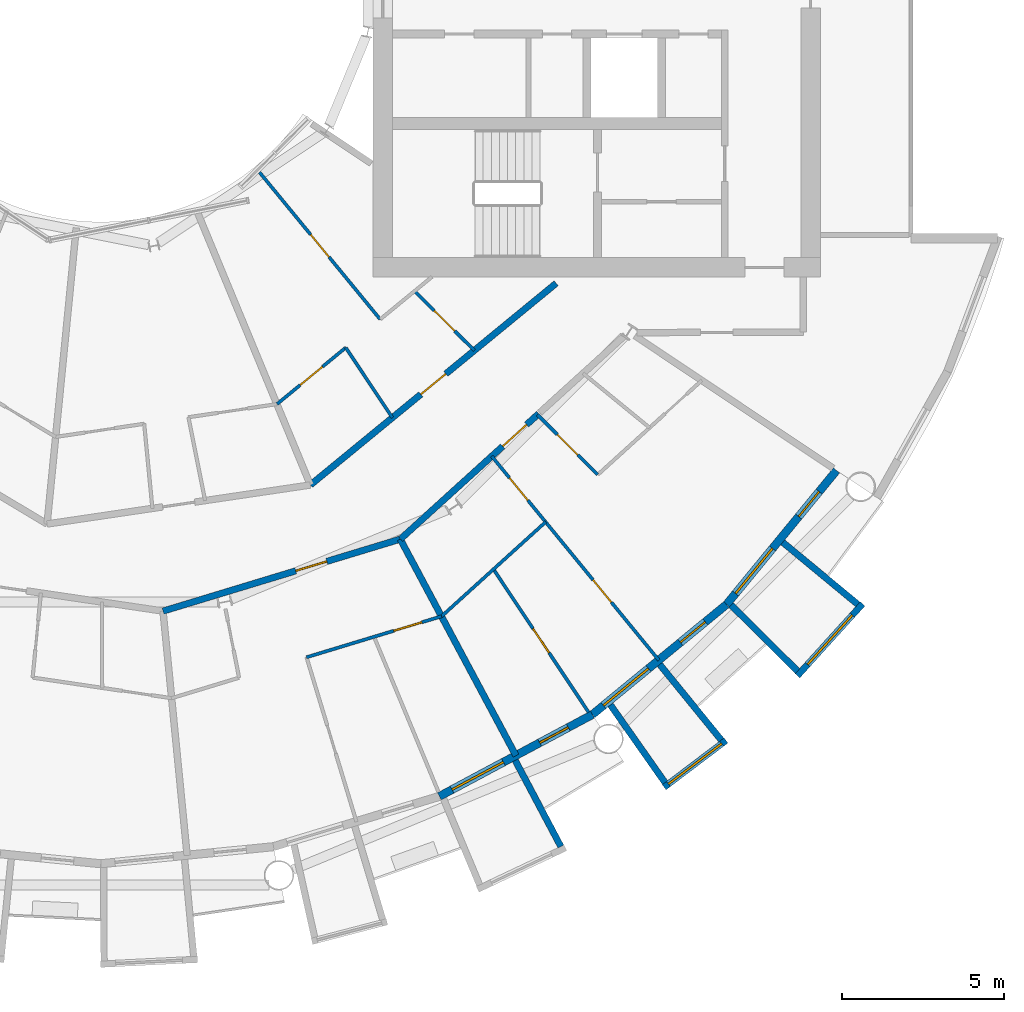
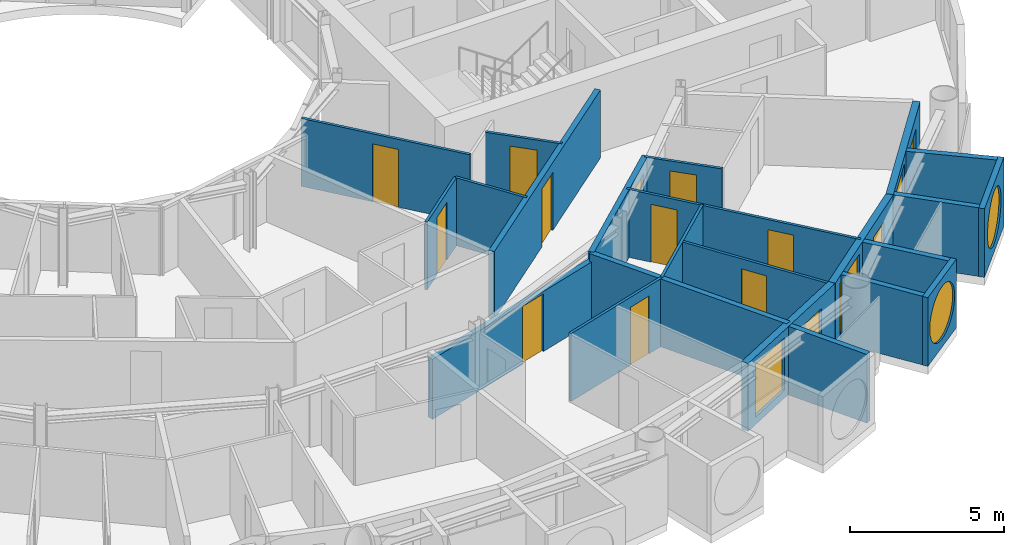
# One storey, part 17 of 28: 23 walls, 14 doors, 5 windows, 19 openings.
"""IFC4 building model written with IfcOpenShell, lengths in metres."""

from ifc_helpers import new_model, si_unit, direction, frame, frame_2d, origin, place, context, subcontext, project, spatial, rectangle, circle, extrude, material, layer, layer_set, type_object, element, fill, save


model = new_model("IFC4")

# Units and contexts
model_context = context("Model", 3, precision=1e-05, world=origin(), true_north=direction((0.0, 1.0)))
body_context = subcontext(model_context, "Body", "Model", "MODEL_VIEW")
ifc_project = project(units=[si_unit("LENGTHUNIT", "METRE"), si_unit("AREAUNIT", "SQUARE_METRE"), si_unit("VOLUMEUNIT", "CUBIC_METRE"), si_unit("PLANEANGLEUNIT", "RADIAN"), si_unit("MASSUNIT", "GRAM", prefix="KILO")], contexts=[model_context])

# Site, building, storey
site_placement = place(None, origin())
site = spatial("IfcSite", under=ifc_project, at=site_placement, CompositionType="ELEMENT")
building_placement = place(site_placement, origin())
building = spatial("IfcBuilding", under=site, at=building_placement, Name="Maasbend Ring Residences", CompositionType="ELEMENT")
storey_placement = place(building_placement, frame((0.0, 0.0, 133.0)))
storey = spatial("IfcBuildingStorey", under=building, at=storey_placement, Name="L38", CompositionType="ELEMENT", Elevation=133.0)

# Wall, opening, door
ifc_material_1 = material(Name="Concrete C30/37", Category="concrete")
ifc_layer_1 = layer(ifc_material_1, 0.199951171875)
ifc_layer_set_1 = layer_set([ifc_layer_1], Name="Concrete C30/37")
wall_type_1 = type_object("IfcWallType", Name="CORRIDOR WALL 200 CONCRETE", PredefinedType="PARTITIONING", material=ifc_layer_set_1)
wall_1_placement = place(storey_placement, frame((1.9208984375, -19.506103515625, 0.0), z_axis=(0.0, 0.0, 1.0), x_axis=(0.956929842753, 0.290319265721, 0.0)))
wall_1 = element("IfcWall", 1, at=wall_1_placement, inside=storey, type_object=wall_type_1, Name="U-L38-w011", PredefinedType="PARTITIONING", context=body_context, shape_type="SweptSolid", body=[
    extrude(rectangle(XDim=7.6474609375, YDim=0.199951171875, at=frame_2d((3.82373046875, 0.0))), origin(), (0.0, 0.0, 1.0), 2.389892578125),
])
opening_1_placement = place(wall_1_placement, frame((4.280029296875, 0.0, 0.0)))
opening_1 = element("IfcOpeningElement", 2, at=opening_1_placement, cuts=wall_1, Name="Opening D-3849", PredefinedType="OPENING", context=body_context, shape_type="SweptSolid", body=[
    extrude(rectangle(XDim=1.0, YDim=2.300048828125, at=frame_2d((0.5, 1.14990234375))), frame((0.0, 0.10986328125, 0.0), z_axis=(0.0, -1.0, 0.0), x_axis=(1.0, 0.0, 0.0)), (0.0, 0.0, 1.0), 0.219970703125),
])
ifc_material_2 = material(Name="Timber, fire-rated, painted", Category="wood")
door_type_1 = type_object("IfcDoorType", Name="FLAT ENTRANCE DOOR 1000 X 2300 FIRE-RATED", OperationType="NOTDEFINED", PredefinedType="DOOR", material=ifc_material_2)
door_1_placement = place(opening_1_placement, origin())
door_1 = element("IfcDoor", 3, at=door_1_placement, inside=storey, type_object=door_type_1, Name="D-3849", OperationType="SINGLE_SWING_RIGHT", OverallHeight=2.300048828125, OverallWidth=1.0, PredefinedType="DOOR", context=body_context, shape_type="SweptSolid", body=[
    extrude(rectangle(XDim=1.0, YDim=2.300048828125, at=frame_2d((0.5, 1.14990234375))), frame((0.0, 0.02490234375, 0.0), z_axis=(0.0, -1.0, 0.0), x_axis=(1.0, 0.0, 0.0)), (0.0, 0.0, 1.0), 0.050048828125),
])
fill(opening_1, door_1)

wall_2_placement = place(storey_placement, frame((9.2490234375, -17.281982421875, 0.0), z_axis=(0.0, 0.0, 1.0), x_axis=(0.740525495356, 0.672028266316, 0.0)))
wall_2 = element("IfcWall", 4, at=wall_2_placement, inside=storey, type_object=wall_type_1, Name="U-L38-w013", PredefinedType="PARTITIONING", context=body_context, shape_type="SweptSolid", body=[
    extrude(rectangle(XDim=5.752685546875, YDim=0.199951171875, at=frame_2d((2.87646484375, 0.0))), origin(), (0.0, 0.0, 1.0), 2.699951171875),
])
opening_2_placement = place(wall_2_placement, frame((4.2529296875, 0.0, 0.0)))
opening_2 = element("IfcOpeningElement", 5, at=opening_2_placement, cuts=wall_2, Name="Opening D-3853", PredefinedType="OPENING", context=body_context, shape_type="SweptSolid", body=[
    extrude(rectangle(XDim=1.0, YDim=2.300048828125, at=frame_2d((0.5, 1.14990234375))), frame((0.0, 0.10986328125, 0.0), z_axis=(0.0, -1.0, 0.0), x_axis=(1.0, 0.0, 0.0)), (0.0, 0.0, 1.0), 0.219970703125),
])
door_2_placement = place(opening_2_placement, origin())
door_2 = element("IfcDoor", 6, at=door_2_placement, inside=storey, type_object=door_type_1, Name="D-3853", OperationType="SINGLE_SWING_RIGHT", OverallHeight=2.300048828125, OverallWidth=1.0, PredefinedType="DOOR", context=body_context, shape_type="SweptSolid", body=[
    extrude(rectangle(XDim=1.0, YDim=2.300048828125, at=frame_2d((0.5, 1.14990234375))), frame((0.0, 0.02490234375, 0.0), z_axis=(0.0, -1.0, 0.0), x_axis=(1.0, 0.0, 0.0)), (0.0, 0.0, 1.0), 0.050048828125),
])
fill(opening_2, door_2)

wall_3_placement = place(storey_placement, frame((6.467041015625, -15.614013671875, 0.0), z_axis=(0.0, 0.0, 1.0), x_axis=(0.773074935257, 0.634314704605, 0.0)))
wall_3 = element("IfcWall", 7, at=wall_3_placement, inside=storey, type_object=wall_type_1, Name="U-L38-w017", PredefinedType="PARTITIONING", context=body_context, shape_type="SweptSolid", body=[
    extrude(rectangle(XDim=9.808837890625, YDim=0.199951171875, at=frame_2d((4.904296875, 0.0))), origin(), (0.0, 0.0, 1.0), 2.699951171875),
])
opening_3_placement = place(wall_3_placement, frame((4.406982421875, 0.0, 0.0)))
opening_3 = element("IfcOpeningElement", 8, at=opening_3_placement, cuts=wall_3, Name="Opening D-3867", PredefinedType="OPENING", context=body_context, shape_type="SweptSolid", body=[
    extrude(rectangle(XDim=1.0, YDim=2.300048828125, at=frame_2d((0.5, 1.14990234375))), frame((0.0, 0.10986328125, 0.0), z_axis=(0.0, -1.0, 0.0), x_axis=(1.0, 0.0, 0.0)), (0.0, 0.0, 1.0), 0.219970703125),
])
door_3_placement = place(opening_3_placement, origin())
door_3 = element("IfcDoor", 9, at=door_3_placement, inside=storey, type_object=door_type_1, Name="D-3867", OperationType="SINGLE_SWING_RIGHT", OverallHeight=2.300048828125, OverallWidth=1.0, PredefinedType="DOOR", context=body_context, shape_type="SweptSolid", body=[
    extrude(rectangle(XDim=1.0, YDim=2.300048828125, at=frame_2d((0.5, 1.14990234375))), frame((0.0, 0.02490234375, 0.0), z_axis=(0.0, -1.0, 0.0), x_axis=(1.0, 0.0, 0.0)), (0.0, 0.0, 1.0), 0.050048828125),
])
fill(opening_3, door_3)

# Wall
ifc_material_3 = material(Name="Pale anodised aluminium panel", Category="aluminium")
ifc_layer_2 = layer(ifc_material_3, 0.199951171875)
ifc_layer_set_2 = layer_set([ifc_layer_2], Name="EW-BOX")
wall_type_2 = type_object("IfcWallType", Name="EW-BOX", PredefinedType="SOLIDWALL", material=ifc_layer_set_2)
wall_4_placement = place(storey_placement, frame((12.787109375, -24.113037109375, -0.030029296875), z_axis=(0.0, 0.0, 1.0), x_axis=(0.468365282436, -0.883534924159, 0.0)))
element("IfcWall", 10, at=wall_4_placement, inside=storey, type_object=wall_type_2, Name="Box side wall S15 right", PredefinedType="SOLIDWALL", context=body_context, shape_type="SweptSolid", body=[
    extrude(rectangle(XDim=3.006103515625, YDim=0.199951171875, at=frame_2d((1.5029296875, 0.0))), origin(), (0.0, 0.0, 1.0), 2.72998046875),
])

# Wall, opening, window
wall_5_placement = place(storey_placement, frame((17.382080078125, -24.93994140625, -0.030029296875), z_axis=(0.0, 0.0, 1.0), x_axis=(0.797456837111, 0.603375996329, 0.0)))
wall_5 = element("IfcWall", 11, at=wall_5_placement, inside=storey, type_object=wall_type_2, Name="Box front S17", PredefinedType="SOLIDWALL", context=body_context, shape_type="SweptSolid", body=[
    extrude(rectangle(XDim=2.391357421875, YDim=0.199951171875, at=frame_2d((1.19580078125, 0.0))), origin(), (0.0, 0.0, 1.0), 2.72998046875),
])
opening_4_placement = place(wall_5_placement, frame((0.15576171875, 0.0, 0.330078125)))
opening_4 = element("IfcOpeningElement", 12, at=opening_4_placement, cuts=wall_5, Name="Opening W-RD", PredefinedType="OPENING", context=body_context, shape_type="SweptSolid", body=[
    extrude(circle(Radius=1.0400390625, at=frame_2d((1.0400390625, 1.0400390625))), frame((0.0, 0.10986328125, 0.0), z_axis=(0.0, -1.0, 0.0), x_axis=(1.0, 0.0, 0.0)), (0.0, 0.0, 1.0), 0.219970703125),
])
ifc_material_4 = material(Name="Aluminium and clear glass", Category="aluminium")
window_type_1 = type_object("IfcWindowType", Name="W-RD", PartitioningType="SINGLE_PANEL", PredefinedType="WINDOW", material=ifc_material_4)
window_1_placement = place(opening_4_placement, origin())
window_1 = element("IfcWindow", 13, at=window_1_placement, inside=storey, type_object=window_type_1, Name="Round window S17", OverallHeight=2.080078125, OverallWidth=2.080078125, PartitioningType="SINGLE_PANEL", PredefinedType="WINDOW", context=body_context, shape_type="SweptSolid", body=[
    extrude(circle(Radius=1.0400390625, at=frame_2d((1.0400390625, 1.0400390625))), frame((0.0, 0.030029296875, 0.0), z_axis=(0.0, -1.0, 0.0), x_axis=(1.0, 0.0, 0.0)), (0.0, 0.0, 1.0), 0.06005859375),
])
fill(opening_4, window_1)

# Walls
wall_6_placement = place(storey_placement, frame((15.72607421875, -22.402099609375, -0.030029296875), z_axis=(0.0, 0.0, 1.0), x_axis=(0.574826383135, -0.818275399393, 0.0)))
element("IfcWall", 14, at=wall_6_placement, inside=storey, type_object=wall_type_2, Name="Box side wall S17 left", PredefinedType="SOLIDWALL", context=body_context, shape_type="SweptSolid", body=[
    extrude(rectangle(XDim=2.92919921875, YDim=0.199951171875, at=frame_2d((1.464599609375, 0.0))), origin(), (0.0, 0.0, 1.0), 2.72998046875),
])
wall_7_placement = place(storey_placement, frame((17.24609375, -21.155029296875, -0.030029296875), z_axis=(0.0, 0.0, 1.0), x_axis=(0.631741648902, -0.775179004516, 0.0)))
element("IfcWall", 15, at=wall_7_placement, inside=storey, type_object=wall_type_2, Name="Box side wall S17 right", PredefinedType="SOLIDWALL", context=body_context, shape_type="SweptSolid", body=[
    extrude(rectangle(XDim=3.005859375, YDim=0.199951171875, at=frame_2d((1.5029296875, 0.0))), origin(), (0.0, 0.0, 1.0), 2.72998046875),
])

# Wall, opening, window
wall_8_placement = place(storey_placement, frame((21.492919921875, -21.5, -0.030029296875), z_axis=(0.0, 0.0, 1.0), x_axis=(0.671506829416, 0.740998365753, 0.0)))
wall_8 = element("IfcWall", 16, at=wall_8_placement, inside=storey, type_object=wall_type_2, Name="Box front S19", PredefinedType="SOLIDWALL", context=body_context, shape_type="SweptSolid", body=[
    extrude(rectangle(XDim=2.9931640625, YDim=0.199951171875, at=frame_2d((1.49658203125, 0.0))), origin(), (0.0, 0.0, 1.0), 2.72998046875),
])
opening_5_placement = place(wall_8_placement, frame((0.45654296875, 0.0, 0.330078125)))
opening_5 = element("IfcOpeningElement", 17, at=opening_5_placement, cuts=wall_8, Name="Opening W-RD", PredefinedType="OPENING", context=body_context, shape_type="SweptSolid", body=[
    extrude(circle(Radius=1.0400390625, at=frame_2d((1.0400390625, 1.0400390625))), frame((0.0, 0.10986328125, 0.0), z_axis=(0.0, -1.0, 0.0), x_axis=(1.0, 0.0, 0.0)), (0.0, 0.0, 1.0), 0.219970703125),
])
window_2_placement = place(opening_5_placement, origin())
window_2 = element("IfcWindow", 18, at=window_2_placement, inside=storey, type_object=window_type_1, Name="Round window S19", OverallHeight=2.080078125, OverallWidth=2.080078125, PartitioningType="SINGLE_PANEL", PredefinedType="WINDOW", context=body_context, shape_type="SweptSolid", body=[
    extrude(circle(Radius=1.0400390625, at=frame_2d((1.0400390625, 1.0400390625))), frame((0.0, 0.030029296875, 0.0), z_axis=(0.0, -1.0, 0.0), x_axis=(1.0, 0.0, 0.0)), (0.0, 0.0, 1.0), 0.06005859375),
])
fill(opening_5, window_2)

# Walls
wall_9_placement = place(storey_placement, frame((19.449951171875, -19.322998046875, -0.030029296875), z_axis=(0.0, 0.0, 1.0), x_axis=(0.709727076896, -0.704476739375, 0.0)))
element("IfcWall", 19, at=wall_9_placement, inside=storey, type_object=wall_type_2, Name="Box side wall S19 left", PredefinedType="SOLIDWALL", context=body_context, shape_type="SweptSolid", body=[
    extrude(rectangle(XDim=2.883056640625, YDim=0.199951171875, at=frame_2d((1.44140625, 0.0))), origin(), (0.0, 0.0, 1.0), 2.72998046875),
])
wall_10_placement = place(storey_placement, frame((21.041015625, -17.384033203125, -0.030029296875), z_axis=(0.0, 0.0, 1.0), x_axis=(0.770784861449, -0.63709551667, 0.0)))
element("IfcWall", 20, at=wall_10_placement, inside=storey, type_object=wall_type_2, Name="Box side wall S19 right", PredefinedType="SOLIDWALL", context=body_context, shape_type="SweptSolid", body=[
    extrude(rectangle(XDim=3.005859375, YDim=0.199951171875, at=frame_2d((1.5029296875, 0.0))), origin(), (0.0, 0.0, 1.0), 2.72998046875),
])

# Wall, openings, door, window
ifc_material_5 = material(Name="Aluminium clad insulated panel", Category="aluminium")
ifc_layer_3 = layer(ifc_material_5, 0.25)
ifc_layer_set_3 = layer_set([ifc_layer_3], Name="EW-GL")
wall_type_3 = type_object("IfcWallType", Name="EW-GL", PredefinedType="SOLIDWALL", material=ifc_layer_set_3)
wall_11_placement = place(storey_placement, frame((10.447021484375, -25.221923828125, 0.0), z_axis=(0.0, 0.0, 1.0), x_axis=(0.881915646801, 0.471407246368, 0.0)))
wall_11 = element("IfcWall", 21, at=wall_11_placement, inside=storey, type_object=wall_type_3, Name="External wall S08", PredefinedType="SOLIDWALL", context=body_context, shape_type="SweptSolid", body=[
    extrude(rectangle(XDim=5.35205078125, YDim=0.25, at=frame_2d((2.676025390625, 0.0))), origin(), (0.0, 0.0, 1.0), 2.699951171875),
])
opening_6_placement = place(wall_11_placement, frame((0.441162109375, 0.0, 0.300048828125)))
opening_6 = element("IfcOpeningElement", 22, at=opening_6_placement, cuts=wall_11, Name="Opening W-BX", PredefinedType="OPENING", context=body_context, shape_type="SweptSolid", body=[
    extrude(rectangle(XDim=1.800048828125, YDim=2.10009765625, at=frame_2d((0.89990234375, 1.050048828125))), frame((0.0, 0.135009765625, 0.0), z_axis=(0.0, -1.0, 0.0), x_axis=(1.0, 0.0, 0.0)), (0.0, 0.0, 1.0), 0.27001953125),
])
opening_7_placement = place(wall_11_placement, frame((3.510498046875, 0.0, 0.0)))
opening_7 = element("IfcOpeningElement", 23, at=opening_7_placement, cuts=wall_11, Name="Opening D-LG", PredefinedType="OPENING", context=body_context, shape_type="SweptSolid", body=[
    extrude(rectangle(XDim=1.0, YDim=2.199951171875, at=frame_2d((0.5, 1.10009765625))), frame((0.0, 0.135009765625, 0.0), z_axis=(0.0, -1.0, 0.0), x_axis=(1.0, 0.0, 0.0)), (0.0, 0.0, 1.0), 0.27001953125),
])
ifc_material_6 = material(Name="Aluminium and clear glass", Category="aluminium")
door_type_2 = type_object("IfcDoorType", Name="D-LG", OperationType="SINGLE_SWING_LEFT", PredefinedType="DOOR", material=ifc_material_6)
door_4_placement = place(opening_7_placement, origin())
door_4 = element("IfcDoor", 24, at=door_4_placement, inside=storey, type_object=door_type_2, Name="Loggia door S16", OperationType="SINGLE_SWING_LEFT", OverallHeight=2.199951171875, OverallWidth=1.0, PredefinedType="DOOR", context=body_context, shape_type="SweptSolid", body=[
    extrude(rectangle(XDim=1.0, YDim=2.199951171875, at=frame_2d((0.5, 1.10009765625))), frame((0.0, 0.02490234375, 0.0), z_axis=(0.0, -1.0, 0.0), x_axis=(1.0, 0.0, 0.0)), (0.0, 0.0, 1.0), 0.050048828125),
])
fill(opening_7, door_4)
ifc_material_7 = material(Name="Aluminium and clear glass", Category="aluminium")
window_type_2 = type_object("IfcWindowType", Name="W-BX", PartitioningType="DOUBLE_PANEL_VERTICAL", PredefinedType="WINDOW", material=ifc_material_7)
window_3_placement = place(opening_6_placement, origin())
window_3 = element("IfcWindow", 25, at=window_3_placement, inside=storey, type_object=window_type_2, Name="Window S15 room to box", OverallHeight=2.10009765625, OverallWidth=1.800048828125, PartitioningType="SINGLE_PANEL", PredefinedType="WINDOW", context=body_context, shape_type="SweptSolid", body=[
    extrude(rectangle(XDim=1.800048828125, YDim=2.10009765625, at=frame_2d((0.89990234375, 1.050048828125))), frame((0.0, 0.030029296875, 0.0), z_axis=(0.0, -1.0, 0.0), x_axis=(1.0, 0.0, 0.0)), (0.0, 0.0, 1.0), 0.06005859375),
])
fill(opening_6, window_3)

wall_12_placement = place(storey_placement, frame((15.1669921875, -22.698974609375, 0.0), z_axis=(0.0, 0.0, 1.0), x_axis=(0.773019449054, 0.634382322723, 0.0)))
wall_12 = element("IfcWall", 26, at=wall_12_placement, inside=storey, type_object=wall_type_3, Name="External wall S09", PredefinedType="SOLIDWALL", context=body_context, shape_type="SweptSolid", body=[
    extrude(rectangle(XDim=5.351806640625, YDim=0.25, at=frame_2d((2.67578125, 0.0))), origin(), (0.0, 0.0, 1.0), 2.699951171875),
])
opening_8_placement = place(wall_12_placement, frame((0.441162109375, 0.0, 0.300048828125)))
opening_8 = element("IfcOpeningElement", 27, at=opening_8_placement, cuts=wall_12, Name="Opening W-BX", PredefinedType="OPENING", context=body_context, shape_type="SweptSolid", body=[
    extrude(rectangle(XDim=1.800048828125, YDim=2.10009765625, at=frame_2d((0.89990234375, 1.050048828125))), frame((0.0, 0.135009765625, 0.0), z_axis=(0.0, -1.0, 0.0), x_axis=(1.0, 0.0, 0.0)), (0.0, 0.0, 1.0), 0.27001953125),
])
opening_9_placement = place(wall_12_placement, frame((3.510498046875, 0.0, 0.0)))
opening_9 = element("IfcOpeningElement", 28, at=opening_9_placement, cuts=wall_12, Name="Opening D-LG", PredefinedType="OPENING", context=body_context, shape_type="SweptSolid", body=[
    extrude(rectangle(XDim=1.0, YDim=2.199951171875, at=frame_2d((0.5, 1.10009765625))), frame((0.0, 0.135009765625, 0.0), z_axis=(0.0, -1.0, 0.0), x_axis=(1.0, 0.0, 0.0)), (0.0, 0.0, 1.0), 0.27001953125),
])
door_5_placement = place(opening_9_placement, origin())
door_5 = element("IfcDoor", 29, at=door_5_placement, inside=storey, type_object=door_type_2, Name="Loggia door S18", OperationType="SINGLE_SWING_LEFT", OverallHeight=2.199951171875, OverallWidth=1.0, PredefinedType="DOOR", context=body_context, shape_type="SweptSolid", body=[
    extrude(rectangle(XDim=1.0, YDim=2.199951171875, at=frame_2d((0.5, 1.10009765625))), frame((0.0, 0.02490234375, 0.0), z_axis=(0.0, -1.0, 0.0), x_axis=(1.0, 0.0, 0.0)), (0.0, 0.0, 1.0), 0.050048828125),
])
fill(opening_9, door_5)
window_4_placement = place(opening_8_placement, origin())
window_4 = element("IfcWindow", 30, at=window_4_placement, inside=storey, type_object=window_type_2, Name="Window S17 room to box", OverallHeight=2.10009765625, OverallWidth=1.800048828125, PartitioningType="SINGLE_PANEL", PredefinedType="WINDOW", context=body_context, shape_type="SweptSolid", body=[
    extrude(rectangle(XDim=1.800048828125, YDim=2.10009765625, at=frame_2d((0.89990234375, 1.050048828125))), frame((0.0, 0.030029296875, 0.0), z_axis=(0.0, -1.0, 0.0), x_axis=(1.0, 0.0, 0.0)), (0.0, 0.0, 1.0), 0.06005859375),
])
fill(opening_8, window_4)

wall_13_placement = place(storey_placement, frame((19.303955078125, -19.303955078125, 0.0), z_axis=(0.0, 0.0, 1.0), x_axis=(0.634382322723, 0.773019449054, 0.0)))
wall_13 = element("IfcWall", 31, at=wall_13_placement, inside=storey, type_object=wall_type_3, Name="External wall S10", PredefinedType="SOLIDWALL", context=body_context, shape_type="SweptSolid", body=[
    extrude(rectangle(XDim=5.351806640625, YDim=0.25, at=frame_2d((2.67578125, 0.0))), origin(), (0.0, 0.0, 1.0), 2.699951171875),
])
opening_10_placement = place(wall_13_placement, frame((0.441162109375, 0.0, 0.300048828125)))
opening_10 = element("IfcOpeningElement", 32, at=opening_10_placement, cuts=wall_13, Name="Opening W-BX", PredefinedType="OPENING", context=body_context, shape_type="SweptSolid", body=[
    extrude(rectangle(XDim=1.800048828125, YDim=2.10009765625, at=frame_2d((0.89990234375, 1.050048828125))), frame((0.0, 0.135009765625, 0.0), z_axis=(0.0, -1.0, 0.0), x_axis=(1.0, 0.0, 0.0)), (0.0, 0.0, 1.0), 0.27001953125),
])
opening_11_placement = place(wall_13_placement, frame((3.510498046875, 0.0, 0.0)))
opening_11 = element("IfcOpeningElement", 33, at=opening_11_placement, cuts=wall_13, Name="Opening D-LG", PredefinedType="OPENING", context=body_context, shape_type="SweptSolid", body=[
    extrude(rectangle(XDim=1.0, YDim=2.199951171875, at=frame_2d((0.5, 1.10009765625))), frame((0.0, 0.135009765625, 0.0), z_axis=(0.0, -1.0, 0.0), x_axis=(1.0, 0.0, 0.0)), (0.0, 0.0, 1.0), 0.27001953125),
])
door_6_placement = place(opening_11_placement, origin())
door_6 = element("IfcDoor", 34, at=door_6_placement, inside=storey, type_object=door_type_2, Name="Loggia door S20", OperationType="SINGLE_SWING_LEFT", OverallHeight=2.199951171875, OverallWidth=1.0, PredefinedType="DOOR", context=body_context, shape_type="SweptSolid", body=[
    extrude(rectangle(XDim=1.0, YDim=2.199951171875, at=frame_2d((0.5, 1.10009765625))), frame((0.0, 0.02490234375, 0.0), z_axis=(0.0, -1.0, 0.0), x_axis=(1.0, 0.0, 0.0)), (0.0, 0.0, 1.0), 0.050048828125),
])
fill(opening_11, door_6)
window_5_placement = place(opening_10_placement, origin())
window_5 = element("IfcWindow", 35, at=window_5_placement, inside=storey, type_object=window_type_2, Name="Window S19 room to box", OverallHeight=2.10009765625, OverallWidth=1.800048828125, PartitioningType="SINGLE_PANEL", PredefinedType="WINDOW", context=body_context, shape_type="SweptSolid", body=[
    extrude(rectangle(XDim=1.800048828125, YDim=2.10009765625, at=frame_2d((0.89990234375, 1.050048828125))), frame((0.0, 0.030029296875, 0.0), z_axis=(0.0, -1.0, 0.0), x_axis=(1.0, 0.0, 0.0)), (0.0, 0.0, 1.0), 0.06005859375),
])
fill(opening_10, window_5)

# Wall, opening, door
ifc_material_8 = material(Name="Gypsum board on steel studs", Category="steel")
ifc_layer_4 = layer(ifc_material_8, 0.10009765625)
ifc_layer_set_4 = layer_set([ifc_layer_4], Name="PARTITION 100 GYPSUM")
wall_type_4 = type_object("IfcWallType", Name="PARTITION 100 GYPSUM", PredefinedType="PARTITIONING", material=ifc_layer_set_4)
wall_14_placement = place(storey_placement, frame((6.345947265625, -20.930908203125, 0.0), z_axis=(0.0, 0.0, 1.0), x_axis=(0.956923957423, 0.290338663821, 0.0)))
wall_14 = element("IfcWall", 36, at=wall_14_placement, inside=storey, type_object=wall_type_4, Name="U-L38-w002", PredefinedType="PARTITIONING", context=body_context, shape_type="SweptSolid", body=[
    extrude(rectangle(XDim=4.356689453125, YDim=0.10009765625, at=frame_2d((2.17822265625, 0.0))), origin(), (0.0, 0.0, 1.0), 2.699951171875),
])
opening_12_placement = place(wall_14_placement, frame((2.818115234375, 0.0, 0.0)))
opening_12 = element("IfcOpeningElement", 37, at=opening_12_placement, cuts=wall_14, Name="Opening D-3852", PredefinedType="OPENING", context=body_context, shape_type="SweptSolid", body=[
    extrude(rectangle(XDim=0.89990234375, YDim=2.300048828125, at=frame_2d((0.449951171875, 1.14990234375))), frame((0.0, 0.06005859375, 0.0), z_axis=(0.0, -1.0, 0.0), x_axis=(1.0, 0.0, 0.0)), (0.0, 0.0, 1.0), 0.1201171875),
])
ifc_material_9 = material(Name="Timber, painted", Category="wood")
door_type_3 = type_object("IfcDoorType", Name="INTERNAL DOOR 900 X 2300", OperationType="NOTDEFINED", PredefinedType="DOOR", material=ifc_material_9)
door_7_placement = place(opening_12_placement, origin())
door_7 = element("IfcDoor", 38, at=door_7_placement, inside=storey, type_object=door_type_3, Name="D-3852", OperationType="SINGLE_SWING_RIGHT", OverallHeight=2.300048828125, OverallWidth=0.89990234375, PredefinedType="DOOR", context=body_context, shape_type="SweptSolid", body=[
    extrude(rectangle(XDim=0.89990234375, YDim=2.300048828125, at=frame_2d((0.449951171875, 1.14990234375))), frame((0.0, 0.02490234375, 0.0), z_axis=(0.0, -1.0, 0.0), x_axis=(1.0, 0.0, 0.0)), (0.0, 0.0, 1.0), 0.050048828125),
])
fill(opening_12, door_7)

# Wall
wall_15_placement = place(storey_placement, frame((10.512939453125, -19.66796875, 0.0), z_axis=(0.0, 0.0, 1.0), x_axis=(0.74092137325, 0.671591779775, 0.0)))
element("IfcWall", 39, at=wall_15_placement, inside=storey, type_object=wall_type_4, Name="U-L38-w007", PredefinedType="PARTITIONING", context=body_context, shape_type="SweptSolid", body=[
    extrude(rectangle(XDim=4.342041015625, YDim=0.10009765625, at=frame_2d((2.1708984375, 0.0))), origin(), (0.0, 0.0, 1.0), 2.699951171875),
])

# Wall, opening, door
wall_16_placement = place(storey_placement, frame((5.43994140625, -13.116943359375, 0.0), z_axis=(0.0, 0.0, 1.0), x_axis=(0.772732480827, 0.634731843439, 0.0)))
wall_16 = element("IfcWall", 40, at=wall_16_placement, inside=storey, type_object=wall_type_4, Name="U-L38-w021", PredefinedType="PARTITIONING", context=body_context, shape_type="SweptSolid", body=[
    extrude(rectangle(XDim=2.74755859375, YDim=0.10009765625, at=frame_2d((1.373779296875, 0.0))), origin(), (0.0, 0.0, 1.0), 2.699951171875),
])
opening_13_placement = place(wall_16_placement, frame((0.91796875, 0.0, 0.0)))
opening_13 = element("IfcOpeningElement", 41, at=opening_13_placement, cuts=wall_16, Name="Opening D-3868", PredefinedType="OPENING", context=body_context, shape_type="SweptSolid", body=[
    extrude(rectangle(XDim=0.89990234375, YDim=2.300048828125, at=frame_2d((0.449951171875, 1.14990234375))), frame((0.0, 0.06005859375, 0.0), z_axis=(0.0, -1.0, 0.0), x_axis=(1.0, 0.0, 0.0)), (0.0, 0.0, 1.0), 0.1201171875),
])
door_8_placement = place(opening_13_placement, origin())
door_8 = element("IfcDoor", 42, at=door_8_placement, inside=storey, type_object=door_type_3, Name="D-3868", OperationType="SINGLE_SWING_LEFT", OverallHeight=2.300048828125, OverallWidth=0.89990234375, PredefinedType="DOOR", context=body_context, shape_type="SweptSolid", body=[
    extrude(rectangle(XDim=0.89990234375, YDim=2.300048828125, at=frame_2d((0.449951171875, 1.14990234375))), frame((0.0, 0.02490234375, 0.0), z_axis=(0.0, -1.0, 0.0), x_axis=(1.0, 0.0, 0.0)), (0.0, 0.0, 1.0), 0.050048828125),
])
fill(opening_13, door_8)

wall_17_placement = place(storey_placement, frame((4.89794921875, -5.968017578125, 0.0), z_axis=(0.0, 0.0, 1.0), x_axis=(0.634358693064, -0.773038840249, 0.0)))
wall_17 = element("IfcWall", 43, at=wall_17_placement, inside=storey, type_object=wall_type_4, Name="U-L38-w074", PredefinedType="PARTITIONING", context=body_context, shape_type="SweptSolid", body=[
    extrude(rectangle(XDim=5.86767578125, YDim=0.10009765625, at=frame_2d((2.933837890625, 0.0))), origin(), (0.0, 0.0, 1.0), 2.699951171875),
])
opening_14_placement = place(wall_17_placement, frame((2.48388671875, 0.0, 0.0)))
opening_14 = element("IfcOpeningElement", 44, at=opening_14_placement, cuts=wall_17, Name="Opening D-3870", PredefinedType="OPENING", context=body_context, shape_type="SweptSolid", body=[
    extrude(rectangle(XDim=0.89990234375, YDim=2.300048828125, at=frame_2d((0.449951171875, 1.14990234375))), frame((0.0, 0.06005859375, 0.0), z_axis=(0.0, -1.0, 0.0), x_axis=(1.0, 0.0, 0.0)), (0.0, 0.0, 1.0), 0.1201171875),
])
door_9_placement = place(opening_14_placement, origin())
door_9 = element("IfcDoor", 45, at=door_9_placement, inside=storey, type_object=door_type_3, Name="D-3870", OperationType="SINGLE_SWING_LEFT", OverallHeight=2.300048828125, OverallWidth=0.89990234375, PredefinedType="DOOR", context=body_context, shape_type="SweptSolid", body=[
    extrude(rectangle(XDim=0.89990234375, YDim=2.300048828125, at=frame_2d((0.449951171875, 1.14990234375))), frame((0.0, 0.02490234375, 0.0), z_axis=(0.0, -1.0, 0.0), x_axis=(1.0, 0.0, 0.0)), (0.0, 0.0, 1.0), 0.050048828125),
])
fill(opening_14, door_9)

# Wall
wall_18_placement = place(storey_placement, frame((7.55810546875, -11.3759765625, 0.0), z_axis=(0.0, 0.0, 1.0), x_axis=(0.553615197403, -0.83277260594, 0.0)))
element("IfcWall", 46, at=wall_18_placement, inside=storey, type_object=wall_type_4, Name="U-L38-w078", PredefinedType="PARTITIONING", context=body_context, shape_type="SweptSolid", body=[
    extrude(rectangle(XDim=2.597412109375, YDim=0.10009765625, at=frame_2d((1.298828125, 0.0))), origin(), (0.0, 0.0, 1.0), 2.699951171875),
])

# Wall, opening, door
wall_19_placement = place(storey_placement, frame((9.68310546875, -9.632080078125, 0.0), z_axis=(0.0, 0.0, 1.0), x_axis=(0.708796844581, -0.705412668665, 0.0)))
wall_19 = element("IfcWall", 47, at=wall_19_placement, inside=storey, type_object=wall_type_4, Name="U-L38-w084", PredefinedType="PARTITIONING", context=body_context, shape_type="SweptSolid", body=[
    extrude(rectangle(XDim=2.59716796875, YDim=0.10009765625, at=frame_2d((1.298583984375, 0.0))), origin(), (0.0, 0.0, 1.0), 2.699951171875),
])
opening_15_placement = place(wall_19_placement, frame((0.84912109375, 0.0, 0.0)))
opening_15 = element("IfcOpeningElement", 48, at=opening_15_placement, cuts=wall_19, Name="Opening D-3869", PredefinedType="OPENING", context=body_context, shape_type="SweptSolid", body=[
    extrude(rectangle(XDim=0.89990234375, YDim=2.300048828125, at=frame_2d((0.449951171875, 1.14990234375))), frame((0.0, 0.06005859375, 0.0), z_axis=(0.0, -1.0, 0.0), x_axis=(1.0, 0.0, 0.0)), (0.0, 0.0, 1.0), 0.1201171875),
])
door_10_placement = place(opening_15_placement, origin())
door_10 = element("IfcDoor", 49, at=door_10_placement, inside=storey, type_object=door_type_3, Name="D-3869", OperationType="SINGLE_SWING_RIGHT", OverallHeight=2.300048828125, OverallWidth=0.89990234375, PredefinedType="DOOR", context=body_context, shape_type="SweptSolid", body=[
    extrude(rectangle(XDim=0.89990234375, YDim=2.300048828125, at=frame_2d((0.449951171875, 1.14990234375))), frame((0.0, 0.02490234375, 0.0), z_axis=(0.0, -1.0, 0.0), x_axis=(1.0, 0.0, 0.0)), (0.0, 0.0, 1.0), 0.050048828125),
])
fill(opening_15, door_10)

# Wall, openings, doors
wall_20_placement = place(storey_placement, frame((12.06201171875, -14.72705078125, 0.0), z_axis=(0.0, 0.0, 1.0), x_axis=(0.633664062855, -0.773608334654, 0.0)))
wall_20 = element("IfcWall", 50, at=wall_20_placement, inside=storey, type_object=wall_type_4, Name="U-L38-w086", PredefinedType="PARTITIONING", context=body_context, shape_type="SweptSolid", body=[
    extrude(rectangle(XDim=8.138427734375, YDim=0.10009765625, at=frame_2d((4.0693359375, 0.0))), origin(), (0.0, 0.0, 1.0), 2.699951171875),
])
opening_16_placement = place(wall_20_placement, frame((0.861083984375, 0.0, 0.0)))
opening_16 = element("IfcOpeningElement", 51, at=opening_16_placement, cuts=wall_20, Name="Opening D-3856", PredefinedType="OPENING", context=body_context, shape_type="SweptSolid", body=[
    extrude(rectangle(XDim=0.89990234375, YDim=2.300048828125, at=frame_2d((0.449951171875, 1.14990234375))), frame((0.0, 0.06005859375, 0.0), z_axis=(0.0, -1.0, 0.0), x_axis=(1.0, 0.0, 0.0)), (0.0, 0.0, 1.0), 0.1201171875),
])
opening_17_placement = place(wall_20_placement, frame((4.930908203125, 0.0, 0.0)))
opening_17 = element("IfcOpeningElement", 52, at=opening_17_placement, cuts=wall_20, Name="Opening D-3857", PredefinedType="OPENING", context=body_context, shape_type="SweptSolid", body=[
    extrude(rectangle(XDim=0.89990234375, YDim=2.300048828125, at=frame_2d((0.449951171875, 1.14990234375))), frame((0.0, 0.06005859375, 0.0), z_axis=(0.0, -1.0, 0.0), x_axis=(1.0, 0.0, 0.0)), (0.0, 0.0, 1.0), 0.1201171875),
])
door_11_placement = place(opening_16_placement, origin())
door_11 = element("IfcDoor", 53, at=door_11_placement, inside=storey, type_object=door_type_3, Name="D-3856", OperationType="SINGLE_SWING_LEFT", OverallHeight=2.300048828125, OverallWidth=0.89990234375, PredefinedType="DOOR", context=body_context, shape_type="SweptSolid", body=[
    extrude(rectangle(XDim=0.89990234375, YDim=2.300048828125, at=frame_2d((0.449951171875, 1.14990234375))), frame((0.0, 0.02490234375, 0.0), z_axis=(0.0, -1.0, 0.0), x_axis=(1.0, 0.0, 0.0)), (0.0, 0.0, 1.0), 0.050048828125),
])
fill(opening_16, door_11)
door_12_placement = place(opening_17_placement, origin())
door_12 = element("IfcDoor", 54, at=door_12_placement, inside=storey, type_object=door_type_3, Name="D-3857", OperationType="SINGLE_SWING_RIGHT", OverallHeight=2.300048828125, OverallWidth=0.89990234375, PredefinedType="DOOR", context=body_context, shape_type="SweptSolid", body=[
    extrude(rectangle(XDim=0.89990234375, YDim=2.300048828125, at=frame_2d((0.449951171875, 1.14990234375))), frame((0.0, 0.02490234375, 0.0), z_axis=(0.0, -1.0, 0.0), x_axis=(1.0, 0.0, 0.0)), (0.0, 0.0, 1.0), 0.050048828125),
])
fill(opening_17, door_12)

# Wall, opening, door
wall_21_placement = place(storey_placement, frame((12.114990234375, -18.212890625, 0.0), z_axis=(0.0, 0.0, 1.0), x_axis=(0.553913391217, -0.832574294, 0.0)))
wall_21 = element("IfcWall", 55, at=wall_21_placement, inside=storey, type_object=wall_type_4, Name="U-L38-w088", PredefinedType="PARTITIONING", context=body_context, shape_type="SweptSolid", body=[
    extrude(rectangle(XDim=5.300537109375, YDim=0.10009765625, at=frame_2d((2.650390625, 0.0))), origin(), (0.0, 0.0, 1.0), 2.699951171875),
])
opening_18_placement = place(wall_21_placement, frame((2.199951171875, 0.0, 0.0)))
opening_18 = element("IfcOpeningElement", 56, at=opening_18_placement, cuts=wall_21, Name="Opening D-3858", PredefinedType="OPENING", context=body_context, shape_type="SweptSolid", body=[
    extrude(rectangle(XDim=0.89990234375, YDim=2.300048828125, at=frame_2d((0.449951171875, 1.14990234375))), frame((0.0, 0.06005859375, 0.0), z_axis=(0.0, -1.0, 0.0), x_axis=(1.0, 0.0, 0.0)), (0.0, 0.0, 1.0), 0.1201171875),
])
door_13_placement = place(opening_18_placement, origin())
door_13 = element("IfcDoor", 57, at=door_13_placement, inside=storey, type_object=door_type_3, Name="D-3858", OperationType="SINGLE_SWING_LEFT", OverallHeight=2.300048828125, OverallWidth=0.89990234375, PredefinedType="DOOR", context=body_context, shape_type="SweptSolid", body=[
    extrude(rectangle(XDim=0.89990234375, YDim=2.300048828125, at=frame_2d((0.449951171875, 1.14990234375))), frame((0.0, 0.02490234375, 0.0), z_axis=(0.0, -1.0, 0.0), x_axis=(1.0, 0.0, 0.0)), (0.0, 0.0, 1.0), 0.050048828125),
])
fill(opening_18, door_13)

wall_22_placement = place(storey_placement, frame((13.47412109375, -13.447998046875, 0.0), z_axis=(0.0, 0.0, 1.0), x_axis=(0.707851299421, -0.706361478217, 0.0)))
wall_22 = element("IfcWall", 58, at=wall_22_placement, inside=storey, type_object=wall_type_4, Name="U-L38-w090", PredefinedType="PARTITIONING", context=body_context, shape_type="SweptSolid", body=[
    extrude(rectangle(XDim=2.6220703125, YDim=0.10009765625, at=frame_2d((1.31103515625, 0.0))), origin(), (0.0, 0.0, 1.0), 2.699951171875),
])
opening_19_placement = place(wall_22_placement, frame((0.861083984375, 0.0, 0.0)))
opening_19 = element("IfcOpeningElement", 59, at=opening_19_placement, cuts=wall_22, Name="Opening D-3855", PredefinedType="OPENING", context=body_context, shape_type="SweptSolid", body=[
    extrude(rectangle(XDim=0.89990234375, YDim=2.300048828125, at=frame_2d((0.449951171875, 1.14990234375))), frame((0.0, 0.06005859375, 0.0), z_axis=(0.0, -1.0, 0.0), x_axis=(1.0, 0.0, 0.0)), (0.0, 0.0, 1.0), 0.1201171875),
])
door_14_placement = place(opening_19_placement, origin())
door_14 = element("IfcDoor", 60, at=door_14_placement, inside=storey, type_object=door_type_3, Name="D-3855", OperationType="SINGLE_SWING_LEFT", OverallHeight=2.300048828125, OverallWidth=0.89990234375, PredefinedType="DOOR", context=body_context, shape_type="SweptSolid", body=[
    extrude(rectangle(XDim=0.89990234375, YDim=2.300048828125, at=frame_2d((0.449951171875, 1.14990234375))), frame((0.0, 0.02490234375, 0.0), z_axis=(0.0, -1.0, 0.0), x_axis=(1.0, 0.0, 0.0)), (0.0, 0.0, 1.0), 0.050048828125),
])
fill(opening_19, door_14)

# Wall
ifc_material_10 = material(Name="Concrete C30/37", Category="concrete")
ifc_layer_5 = layer(ifc_material_10, 0.199951171875)
ifc_layer_set_5 = layer_set([ifc_layer_5], Name="Concrete C30/37")
wall_type_5 = type_object("IfcWallType", Name="PARTY WALL 200 CONCRETE", PredefinedType="PARTITIONING", material=ifc_layer_set_5)
wall_23_placement = place(storey_placement, frame((9.239013671875, -17.285888671875, 0.0), z_axis=(0.0, 0.0, 1.0), x_axis=(0.471439510802, -0.881898399848, 0.0)))
element("IfcWall", 61, at=wall_23_placement, inside=storey, type_object=wall_type_5, Name="U-L38-w082", PredefinedType="PARTITIONING", context=body_context, shape_type="SweptSolid", body=[
    extrude(rectangle(XDim=7.57470703125, YDim=0.199951171875, at=frame_2d((3.787353515625, 0.0))), origin(), (0.0, 0.0, 1.0), 2.699951171875),
])

save(model, "model.ifc")
